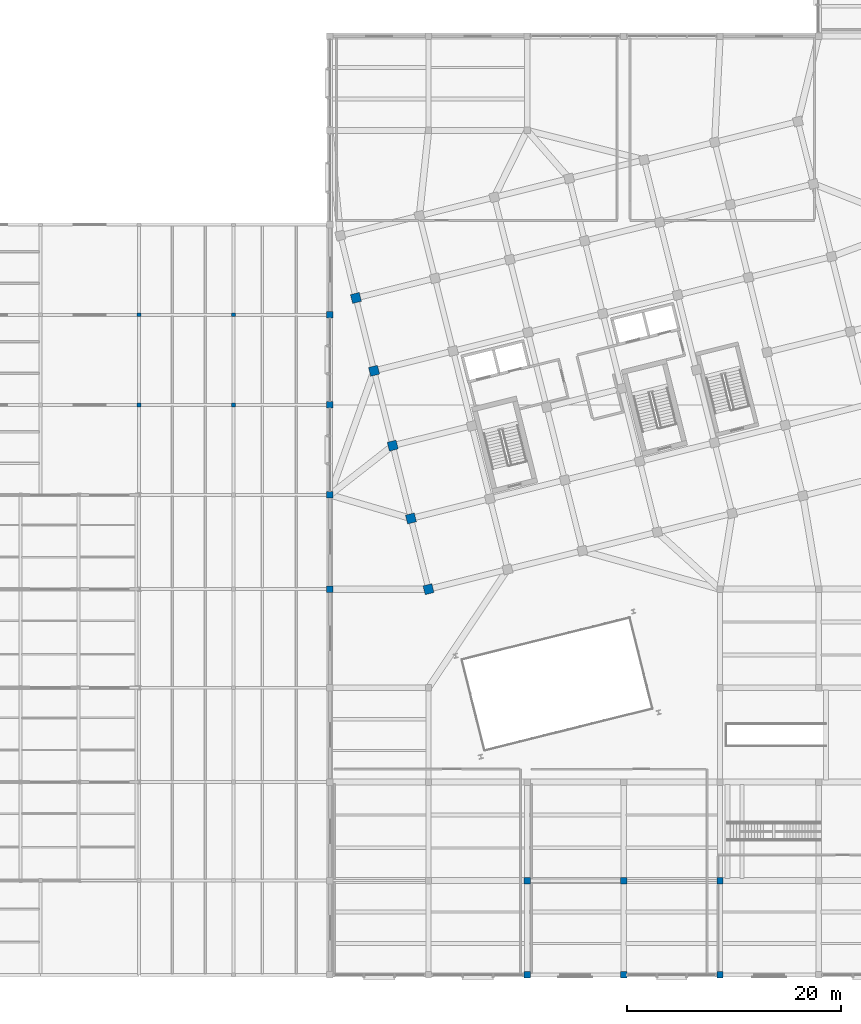
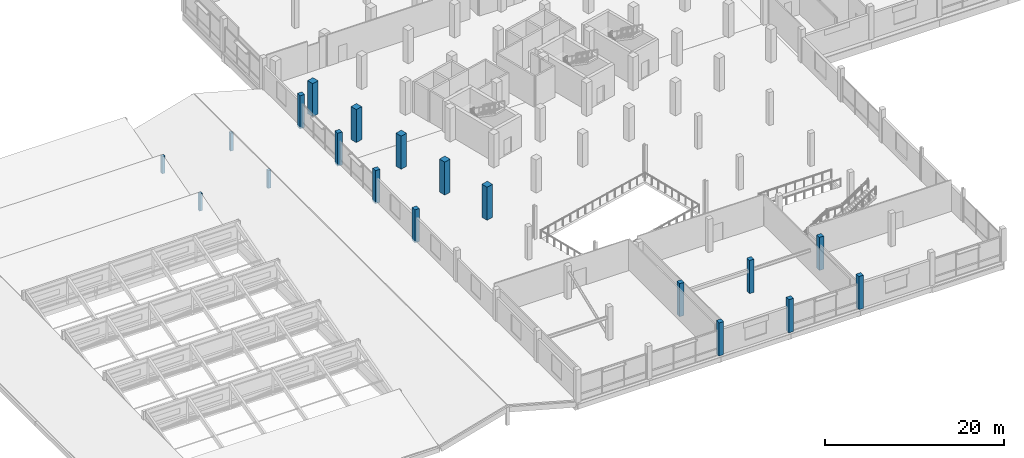
# One storey, part 4 of 77: 19 columns.
"""IFC4 building model written with IfcOpenShell, lengths in metres."""

from ifc_helpers import new_model, si_unit, direction, frame, origin, origin_2d, place, context, subcontext, project, spatial, rectangle, extrude, material, material_profile, profile_set, type_object, element, save


model = new_model("IFC4")

# Units and contexts
model_context = context("Model", 3, precision=1e-05, world=origin(), true_north=direction((0.0, 1.0)))
body_context = subcontext(model_context, "Body", "Model", "MODEL_VIEW")
ifc_project = project(units=[si_unit("LENGTHUNIT", "METRE"), si_unit("AREAUNIT", "SQUARE_METRE"), si_unit("VOLUMEUNIT", "CUBIC_METRE"), si_unit("PLANEANGLEUNIT", "RADIAN"), si_unit("MASSUNIT", "GRAM", prefix="KILO")], contexts=[model_context])

# Site, building, storey
site_placement = place(None, origin())
site = spatial("IfcSite", under=ifc_project, at=site_placement, CompositionType="ELEMENT")
building_placement = place(site_placement, origin())
building = spatial("IfcBuilding", under=site, at=building_placement, Name="Meriwether Solvik Hall", CompositionType="ELEMENT")
storey_placement = place(building_placement, frame((0.0, 0.0, 9.89990234375)))
storey = spatial("IfcBuildingStorey", under=building, at=storey_placement, Name="L02", CompositionType="ELEMENT", Elevation=9.89990234375)

# Columns
ifc_material_1 = material(Name="Glulam Douglas-Fir L2 GL28c", Category="wood")
ifc_material_profile_1 = material_profile(ifc_material_1, rectangle(XDim=0.364990234375, YDim=0.364990234375, at=origin_2d()), Name="GLC-365X365")
ifc_profile_set_1 = profile_set([ifc_material_profile_1], Name="Glulam Douglas-Fir L2 GL28c")
column_type_1 = type_object("IfcColumnType", Name="COL-GL-365X365", PredefinedType="COLUMN", material=ifc_profile_set_1)
for number, where, z_axis, x_axis, name in (
    (1, (41.60009765625, 58.39990234375, 0.0), (0.0, 0.0, 1.0), (1.0, 0.0, 0.0), "Roof Ridge Post 5/G (L02)"),
    (2, (41.60009765625, 66.800048828125, 0.0), (0.0, 0.0, 1.0), (1.0, 0.0, 0.0), "Roof Ridge Post 5/H (L02)"),
):
    element("IfcColumn", number, at=place(storey_placement, frame(where, z_axis=z_axis, x_axis=x_axis)), inside=storey, type_object=column_type_1, Name=name, PredefinedType="COLUMN", context=body_context, shape_type="SweptSolid", body=[
        extrude(rectangle(XDim=0.364990234375, YDim=0.364990234375, at=origin_2d()), origin(), (0.0, 0.0, 1.0), 2.3408203125),
    ])
for number, where, z_axis, x_axis, name in (
    (3, (50.39990234375, 58.39990234375, 0.0), (0.0, 0.0, 1.0), (1.0, 0.0, 0.0), "Roof Ridge Post 6/G (L02)"),
    (4, (50.39990234375, 66.800048828125, 0.0), (0.0, 0.0, 1.0), (1.0, 0.0, 0.0), "Roof Ridge Post 6/H (L02)"),
):
    element("IfcColumn", number, at=place(storey_placement, frame(where, z_axis=z_axis, x_axis=x_axis)), inside=storey, type_object=column_type_1, Name=name, PredefinedType="COLUMN", context=body_context, shape_type="SweptSolid", body=[
        extrude(rectangle(XDim=0.364990234375, YDim=0.364990234375, at=origin_2d()), origin(), (0.0, 0.0, 1.0), 2.441162109375),
    ])
ifc_material_2 = material(Name="Concrete C40/50", Category="concrete")
ifc_material_profile_2 = material_profile(ifc_material_2, rectangle(XDim=0.60009765625, YDim=0.60009765625, at=origin_2d()), Name="RCC-600X600")
ifc_profile_set_2 = profile_set([ifc_material_profile_2], Name="Concrete C40/50")
column_type_2 = type_object("IfcColumnType", Name="COL-RC-600", PredefinedType="COLUMN", material=ifc_profile_set_2)
for number, where, z_axis, x_axis, name in (
    (5, (59.39990234375, 41.199951171875, 0.0), (0.0, 0.0, 1.0), (1.0, 0.0, 0.0), "Podium Column 7/E (L02)"),
    (6, (59.39990234375, 50.0, 0.0), (0.0, 0.0, 1.0), (1.0, 0.0, 0.0), "Podium Column 7/F (L02)"),
    (7, (59.39990234375, 58.39990234375, 0.0), (0.0, 0.0, 1.0), (1.0, 0.0, 0.0), "Podium Column 7/G (L02)"),
    (8, (59.39990234375, 66.800048828125, 0.0), (0.0, 0.0, 1.0), (1.0, 0.0, 0.0), "Podium Column 7/H (L02)"),
    (9, (77.800048828125, 5.199951171875, 0.0), (0.0, 0.0, 1.0), (1.0, 0.0, 0.0), "Podium Column 9/A (L02)"),
    (10, (77.800048828125, 14.0, 0.0), (0.0, 0.0, 1.0), (1.0, 0.0, 0.0), "Podium Column 9/B (L02)"),
    (11, (86.800048828125, 5.199951171875, 0.0), (0.0, 0.0, 1.0), (1.0, 0.0, 0.0), "Podium Column 10/A (L02)"),
    (12, (86.800048828125, 14.0, 0.0), (0.0, 0.0, 1.0), (1.0, 0.0, 0.0), "Podium Column 10/B (L02)"),
    (13, (95.800048828125, 5.199951171875, 0.0), (0.0, 0.0, 1.0), (1.0, 0.0, 0.0), "Podium Column 11/A (L02)"),
    (14, (95.800048828125, 14.0, 0.0), (0.0, 0.0, 1.0), (1.0, 0.0, 0.0), "Podium Column 11/B (L02)"),
):
    element("IfcColumn", number, at=place(storey_placement, frame(where, z_axis=z_axis, x_axis=x_axis)), inside=storey, type_object=column_type_2, Name=name, PredefinedType="COLUMN", context=body_context, shape_type="SweptSolid", body=[
        extrude(rectangle(XDim=0.60009765625, YDim=0.60009765625, at=origin_2d()), origin(), (0.0, 0.0, 1.0), 4.5),
    ])
ifc_material_3 = material(Name="Concrete C40/50", Category="concrete")
ifc_material_profile_3 = material_profile(ifc_material_3, rectangle(XDim=0.85009765625, YDim=0.85009765625, at=origin_2d()), Name="RCC-850X850")
ifc_profile_set_3 = profile_set([ifc_material_profile_3], Name="Concrete C40/50")
column_type_3 = type_object("IfcColumnType", Name="COL-RC-850", PredefinedType="COLUMN", material=ifc_profile_set_3)
for number, where, z_axis, x_axis, name in (
    (15, (68.60009765625, 41.199951171875, 0.0), (0.0, 0.0, 1.0), (0.970295726276, 0.2419218956, 0.0), "Tower Column T1/TA (L02)"),
    (16, (66.954833984375, 47.798095703125, 0.0), (0.0, 0.0, 1.0), (0.970295726276, 0.2419218956, 0.0), "Tower Column T1/TB (L02)"),
    (17, (65.261474609375, 54.590087890625, 0.0), (0.0, 0.0, 1.0), (0.970295726276, 0.2419218956, 0.0), "Tower Column T1/TC (L02)"),
    (18, (63.51953125, 61.576171875, 0.0), (0.0, 0.0, 1.0), (0.970295726276, 0.2419218956, 0.0), "Tower Column T1/TD (L02)"),
    (19, (61.826171875, 68.3681640625, 0.0), (0.0, 0.0, 1.0), (0.970295726276, 0.2419218956, 0.0), "Tower Column T1/TE (L02)"),
):
    element("IfcColumn", number, at=place(storey_placement, frame(where, z_axis=z_axis, x_axis=x_axis)), inside=storey, type_object=column_type_3, Name=name, PredefinedType="COLUMN", context=body_context, shape_type="SweptSolid", body=[
        extrude(rectangle(XDim=0.85009765625, YDim=0.85009765625, at=origin_2d()), origin(), (0.0, 0.0, 1.0), 4.5),
    ])

save(model, "model.ifc")
